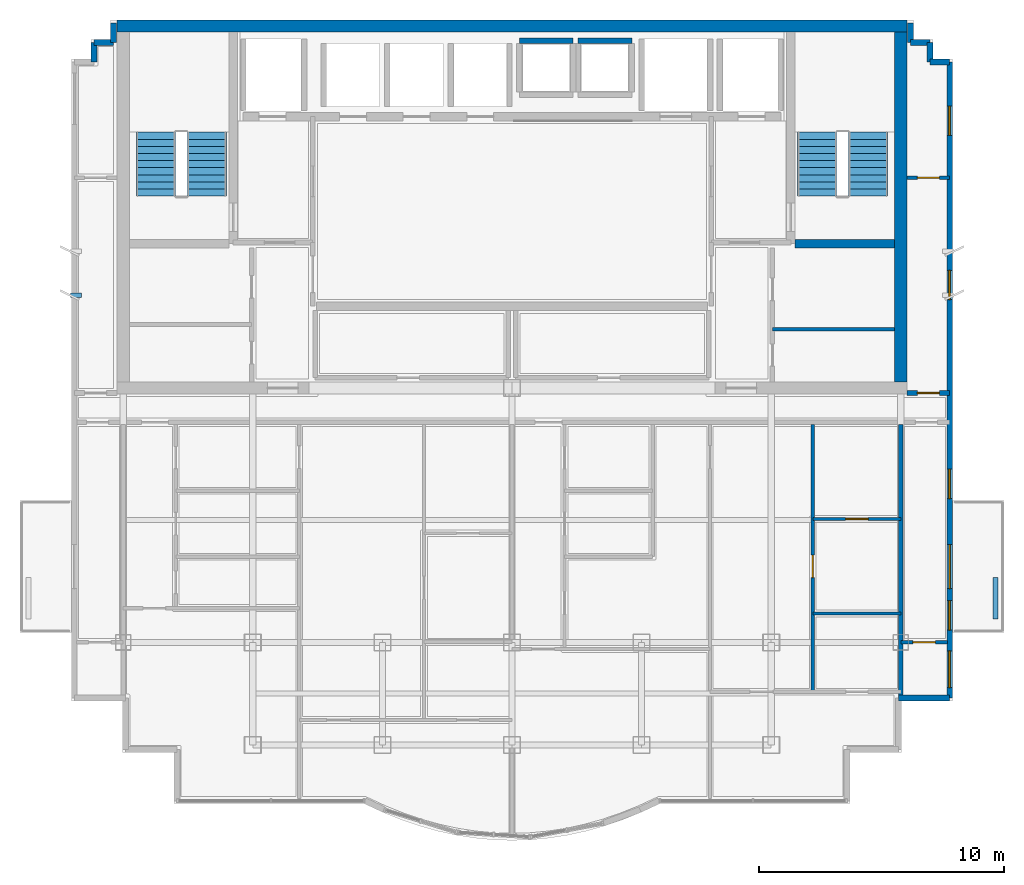
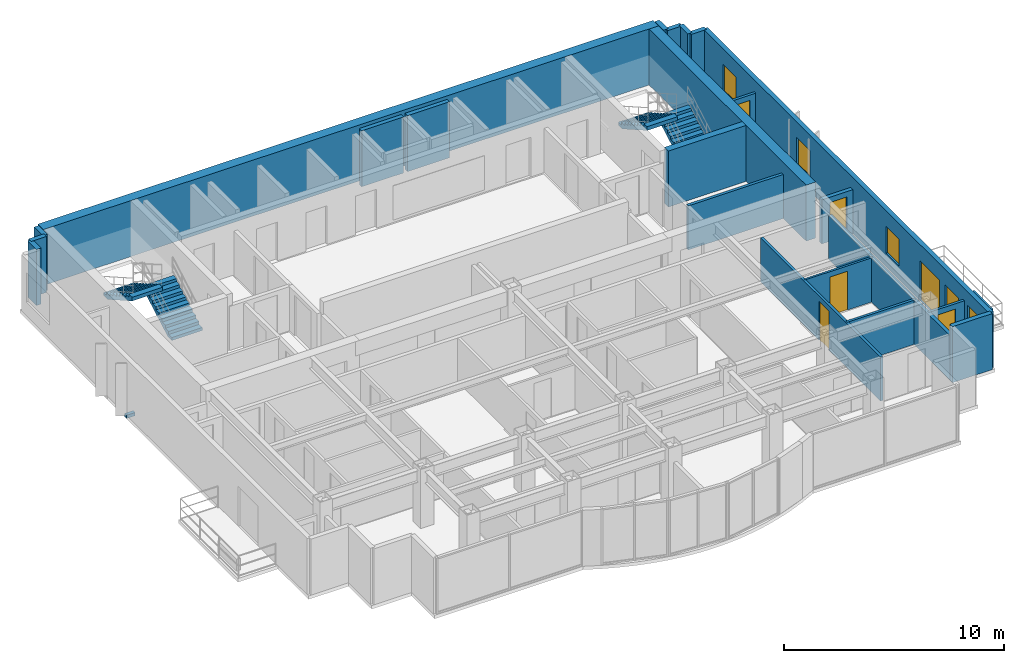
# One storey, part 6 of 9: 23 walls, 6 doors, 5 windows, 4 stair flights, 1 discrete accessory, 11 openings, 2 elements without a shape of their own.
"""IFC4 building model written with IfcOpenShell, lengths in metres."""

from ifc_helpers import new_model, si_unit, direction, frame, frame_2d, origin, origin_2d, place, context, subcontext, project, spatial, polyline, rectangle, outline, extrude, source, transform, mapped, material, layer, layer_set, type_object, element, fill, aggregate, save


model = new_model("IFC4")

# Units and contexts
model_context = context("Model", 3, precision=1e-05, world=origin(), true_north=direction((0.0, 1.0)))
body_context = subcontext(model_context, "Body", "Model", "MODEL_VIEW")
ifc_project = project(units=[si_unit("LENGTHUNIT", "METRE"), si_unit("AREAUNIT", "SQUARE_METRE"), si_unit("VOLUMEUNIT", "CUBIC_METRE"), si_unit("PLANEANGLEUNIT", "RADIAN"), si_unit("MASSUNIT", "GRAM", prefix="KILO")], contexts=[model_context])

# Site, building, storey
site_placement = place(None, origin())
site = spatial("IfcSite", under=ifc_project, at=site_placement, CompositionType="ELEMENT")
building_placement = place(site_placement, origin())
building = spatial("IfcBuilding", under=site, at=building_placement, Name="Qianlan Lanfeng Residences", CompositionType="ELEMENT")
storey_placement = place(building_placement, frame((0.0, 0.0, 249.5)))
storey = spatial("IfcBuildingStorey", under=building, at=storey_placement, Name="L69", CompositionType="ELEMENT", Elevation=249.5)

# Walls
ifc_material_1 = material(Name="Concrete C49", Category="concrete")
ifc_layer_1 = layer(ifc_material_1, 0.35009765625)
ifc_layer_set_1 = layer_set([ifc_layer_1], Name="Concrete C49")
wall_type_1 = type_object("IfcWallType", Name="CW-RC-350", PredefinedType="SHEAR", material=ifc_layer_set_1)
wall_1_placement = place(storey_placement, frame((38.074951171875, 31.10009765625, 0.0), z_axis=(0.0, 0.0, 1.0), x_axis=(1.0, 0.0, 0.0)))
element("IfcWall", 1, at=wall_1_placement, inside=storey, type_object=wall_type_1, Name="L69 Core Shear Wall ST2S", PredefinedType="SHEAR", context=body_context, shape_type="SweptSolid", body=[
    extrude(rectangle(XDim=4.074951171875, YDim=0.35009765625, at=frame_2d((2.03759765625, 0.0))), origin(), (0.0, 0.0, 1.0), 3.110107421875),
])
ifc_material_2 = material(Name="Concrete C70", Category="concrete")
ifc_layer_2 = layer(ifc_material_2, 0.5)
ifc_layer_set_2 = layer_set([ifc_layer_2], Name="Concrete C70")
wall_type_2 = type_object("IfcWallType", Name="CW-RC-500", PredefinedType="SHEAR", material=ifc_layer_set_2)
wall_2_placement = place(storey_placement, frame((10.35009765625, 40.0, 0.0), z_axis=(0.0, 0.0, 1.0), x_axis=(1.0, 0.0, 0.0)))
element("IfcWall", 2, at=wall_2_placement, inside=storey, type_object=wall_type_2, Name="L69 Core Shear Wall N", PredefinedType="SHEAR", context=body_context, shape_type="SweptSolid", body=[
    extrude(rectangle(XDim=32.2998046875, YDim=0.5, at=frame_2d((16.14990234375, 0.0))), origin(), (0.0, 0.0, 1.0), 3.110107421875),
])
wall_3_placement = place(storey_placement, frame((42.39990234375, 25.449951171875, 0.0), z_axis=(0.0, 0.0, 1.0), x_axis=(0.0, 1.0, 0.0)))
element("IfcWall", 3, at=wall_3_placement, inside=storey, type_object=wall_type_2, Name="L69 Core Shear Wall E", PredefinedType="SHEAR", context=body_context, shape_type="SweptSolid", body=[
    extrude(rectangle(XDim=14.300048828125, YDim=0.5, at=frame_2d((7.14990234375, 0.0))), origin(), (0.0, 0.0, 1.0), 3.110107421875),
])
ifc_material_3 = material(Name="Concrete C42", Category="concrete")
ifc_layer_3 = layer(ifc_material_3, 0.239990234375)
ifc_layer_set_3 = layer_set([ifc_layer_3], Name="Concrete C42")
wall_type_3 = type_object("IfcWallType", Name="EW-240", PredefinedType="SOLIDWALL", material=ifc_layer_set_3)
wall_4_placement = place(storey_placement, frame((42.300048828125, 12.52001953125, 0.0), z_axis=(0.0, 0.0, 1.0), x_axis=(1.0, 0.0, 0.0)))
element("IfcWall", 4, at=wall_4_placement, inside=storey, type_object=wall_type_3, Name="L69 Exterior Facade Spandrel Wall 11", PredefinedType="SOLIDWALL", context=body_context, shape_type="SweptSolid", body=[
    extrude(rectangle(XDim=2.099853515625, YDim=0.239990234375, at=frame_2d((1.0498046875, 0.0))), origin(), (0.0, 0.0, 1.0), 3.110107421875),
])

# Wall, openings, door, windows
wall_5_placement = place(storey_placement, frame((44.39990234375, 12.52001953125, 0.0), z_axis=(0.0, 0.0, 1.0), x_axis=(0.0, 1.0, 0.0)))
wall_5 = element("IfcWall", 5, at=wall_5_placement, inside=storey, type_object=wall_type_3, Name="L69 Terrace/Balcony Access Exterior Wall 12", PredefinedType="SOLIDWALL", context=body_context, shape_type="SweptSolid", body=[
    extrude(rectangle(XDim=26.010009765625, YDim=0.239990234375, at=frame_2d((13.0048828125, 0.0))), origin(), (0.0, 0.0, 1.0), 3.110107421875),
])
opening_1_placement = place(wall_5_placement, frame((4.47998046875, 0.0, 0.0)))
opening_1 = element("IfcOpeningElement", 6, at=opening_1_placement, cuts=wall_5, Name="Opening L69-D-EB-N", PredefinedType="OPENING", context=body_context, shape_type="SweptSolid", body=[
    extrude(rectangle(XDim=1.800048828125, YDim=2.199951171875, at=frame_2d((0.89990234375, 1.10009765625))), frame((0.0, 0.1298828125, 0.0), z_axis=(0.0, -1.0, 0.0), x_axis=(1.0, 0.0, 0.0)), (0.0, 0.0, 1.0), 0.260009765625),
])
opening_2_placement = place(wall_5_placement, frame((0.426025390625, 0.0, 0.75)))
opening_2 = element("IfcOpeningElement", 7, at=opening_2_placement, cuts=wall_5, Name="Opening W-02", PredefinedType="OPENING", context=body_context, shape_type="SweptSolid", body=[
    extrude(rectangle(XDim=1.5, YDim=1.60009765625, at=frame_2d((0.75, 0.800048828125))), frame((0.0, 0.1298828125, 0.0), z_axis=(0.0, -1.0, 0.0), x_axis=(1.0, 0.0, 0.0)), (0.0, 0.0, 1.0), 0.260009765625),
])
opening_3_placement = place(wall_5_placement, frame((2.783935546875, 0.0, 0.75)))
opening_3 = element("IfcOpeningElement", 8, at=opening_3_placement, cuts=wall_5, Name="Opening W-03", PredefinedType="OPENING", context=body_context, shape_type="SweptSolid", body=[
    extrude(rectangle(XDim=1.199951171875, YDim=1.5, at=frame_2d((0.60009765625, 0.75))), frame((0.0, 0.1298828125, 0.0), z_axis=(0.0, -1.0, 0.0), x_axis=(1.0, 0.0, 0.0)), (0.0, 0.0, 1.0), 0.260009765625),
])
opening_4_placement = place(wall_5_placement, frame((8.159912109375, 0.0, 0.75)))
opening_4 = element("IfcOpeningElement", 9, at=opening_4_placement, cuts=wall_5, Name="Opening W-03", PredefinedType="OPENING", context=body_context, shape_type="SweptSolid", body=[
    extrude(rectangle(XDim=1.199951171875, YDim=1.5, at=frame_2d((0.60009765625, 0.75))), frame((0.0, 0.1298828125, 0.0), z_axis=(0.0, -1.0, 0.0), x_axis=(1.0, 0.0, 0.0)), (0.0, 0.0, 1.0), 0.260009765625),
])
opening_5_placement = place(wall_5_placement, frame((16.2958984375, 0.0, 0.75)))
opening_5 = element("IfcOpeningElement", 10, at=opening_5_placement, cuts=wall_5, Name="Opening W-03", PredefinedType="OPENING", context=body_context, shape_type="SweptSolid", body=[
    extrude(rectangle(XDim=1.199951171875, YDim=1.5, at=frame_2d((0.60009765625, 0.75))), frame((0.0, 0.1298828125, 0.0), z_axis=(0.0, -1.0, 0.0), x_axis=(1.0, 0.0, 0.0)), (0.0, 0.0, 1.0), 0.260009765625),
])
opening_6_placement = place(wall_5_placement, frame((23.009033203125, 0.0, 0.75)))
opening_6 = element("IfcOpeningElement", 11, at=opening_6_placement, cuts=wall_5, Name="Opening W-03", PredefinedType="OPENING", context=body_context, shape_type="SweptSolid", body=[
    extrude(rectangle(XDim=1.199951171875, YDim=1.5, at=frame_2d((0.60009765625, 0.75))), frame((0.0, 0.1298828125, 0.0), z_axis=(0.0, -1.0, 0.0), x_axis=(1.0, 0.0, 0.0)), (0.0, 0.0, 1.0), 0.260009765625),
])
ifc_material_4 = material(Name="Anodised Bronze Aluminium Framed Glass", Category="aluminium")
door_type_1 = type_object("IfcDoorType", Name="DT-BAL1", OperationType="NOTDEFINED", PredefinedType="DOOR", material=ifc_material_4)
door_1_placement = place(opening_1_placement, frame((1.800048828125, 0.0, 0.0), z_axis=(0.0, 0.0, 1.0), x_axis=(-1.0, 0.0, 0.0)))
door_1 = element("IfcDoor", 12, at=door_1_placement, inside=storey, type_object=door_type_1, Name="L69 Exterior Access Door EB-N", OperationType="DOUBLE_DOOR_SLIDING", OverallHeight=2.199951171875, OverallWidth=1.800048828125, PredefinedType="DOOR", context=body_context, shape_type="SweptSolid", body=[
    extrude(rectangle(XDim=1.800048828125, YDim=2.199951171875, at=frame_2d((0.89990234375, 1.10009765625))), frame((0.0, 0.02490234375, 0.0), z_axis=(0.0, -1.0, 0.0), x_axis=(1.0, 0.0, 0.0)), (0.0, 0.0, 1.0), 0.050048828125),
])
fill(opening_1, door_1)
ifc_material_5 = material(Name="Anodised Bronze Aluminium Framed Double Glazing", Category="aluminium")
window_type_1 = type_object("IfcWindowType", Name="W-02", PartitioningType="SINGLE_PANEL", PredefinedType="WINDOW", material=ifc_material_5)
window_1_placement = place(opening_2_placement, origin())
window_1 = element("IfcWindow", 13, at=window_1_placement, inside=storey, type_object=window_type_1, Name="L69 Exterior Window W-06", OverallHeight=1.60009765625, OverallWidth=1.5, PartitioningType="SINGLE_PANEL", PredefinedType="WINDOW", context=body_context, shape_type="SweptSolid", body=[
    extrude(rectangle(XDim=1.5, YDim=1.60009765625, at=frame_2d((0.75, 0.800048828125))), frame((0.0, 0.030029296875, 0.0), z_axis=(0.0, -1.0, 0.0), x_axis=(1.0, 0.0, 0.0)), (0.0, 0.0, 1.0), 0.06005859375),
])
fill(opening_2, window_1)
window_type_2 = type_object("IfcWindowType", Name="W-03", PartitioningType="SINGLE_PANEL", PredefinedType="WINDOW", material=ifc_material_5)
window_2_placement = place(opening_3_placement, origin())
window_2 = element("IfcWindow", 14, at=window_2_placement, inside=storey, type_object=window_type_2, Name="L69 Facade Bay Window W-03", OverallHeight=1.5, OverallWidth=1.199951171875, PartitioningType="SINGLE_PANEL", PredefinedType="WINDOW", context=body_context, shape_type="SweptSolid", body=[
    extrude(rectangle(XDim=1.199951171875, YDim=1.5, at=frame_2d((0.60009765625, 0.75))), frame((0.0, 0.030029296875, 0.0), z_axis=(0.0, -1.0, 0.0), x_axis=(1.0, 0.0, 0.0)), (0.0, 0.0, 1.0), 0.06005859375),
])
fill(opening_3, window_2)
window_3_placement = place(opening_4_placement, origin())
window_3 = element("IfcWindow", 15, at=window_3_placement, inside=storey, type_object=window_type_2, Name="L69 Facade Bay Window W-03", OverallHeight=1.5, OverallWidth=1.199951171875, PartitioningType="SINGLE_PANEL", PredefinedType="WINDOW", context=body_context, shape_type="SweptSolid", body=[
    extrude(rectangle(XDim=1.199951171875, YDim=1.5, at=frame_2d((0.60009765625, 0.75))), frame((0.0, 0.030029296875, 0.0), z_axis=(0.0, -1.0, 0.0), x_axis=(1.0, 0.0, 0.0)), (0.0, 0.0, 1.0), 0.06005859375),
])
fill(opening_4, window_3)
window_4_placement = place(opening_5_placement, origin())
window_4 = element("IfcWindow", 16, at=window_4_placement, inside=storey, type_object=window_type_2, Name="L69 Facade Bay Window W-03", OverallHeight=1.5, OverallWidth=1.199951171875, PartitioningType="SINGLE_PANEL", PredefinedType="WINDOW", context=body_context, shape_type="SweptSolid", body=[
    extrude(rectangle(XDim=1.199951171875, YDim=1.5, at=frame_2d((0.60009765625, 0.75))), frame((0.0, 0.030029296875, 0.0), z_axis=(0.0, -1.0, 0.0), x_axis=(1.0, 0.0, 0.0)), (0.0, 0.0, 1.0), 0.06005859375),
])
fill(opening_5, window_4)
window_5_placement = place(opening_6_placement, origin())
window_5 = element("IfcWindow", 17, at=window_5_placement, inside=storey, type_object=window_type_2, Name="L69 Facade Bay Window W-03", OverallHeight=1.5, OverallWidth=1.199951171875, PartitioningType="SINGLE_PANEL", PredefinedType="WINDOW", context=body_context, shape_type="SweptSolid", body=[
    extrude(rectangle(XDim=1.199951171875, YDim=1.5, at=frame_2d((0.60009765625, 0.75))), frame((0.0, 0.030029296875, 0.0), z_axis=(0.0, -1.0, 0.0), x_axis=(1.0, 0.0, 0.0)), (0.0, 0.0, 1.0), 0.06005859375),
])
fill(opening_6, window_5)

# Walls
wall_6_placement = place(storey_placement, frame((44.39990234375, 38.530029296875, 0.0), z_axis=(0.0, 0.0, 1.0), x_axis=(-1.0, 0.0, 0.0)))
element("IfcWall", 18, at=wall_6_placement, inside=storey, type_object=wall_type_3, Name="L69 Exterior Facade Spandrel Wall 13", PredefinedType="SOLIDWALL", context=body_context, shape_type="SweptSolid", body=[
    extrude(rectangle(XDim=0.7998046875, YDim=0.239990234375, at=frame_2d((0.39990234375, 0.0))), origin(), (0.0, 0.0, 1.0), 3.110107421875),
])
for number, where, z_axis, x_axis, name in (
    (19, (43.60009765625, 38.530029296875, 0.0), (0.0, 0.0, 1.0), (0.0, 1.0, 0.0), "L69 Exterior Facade Spandrel Wall 14"),
    (20, (43.60009765625, 39.330078125, 0.0), (0.0, 0.0, 1.0), (-1.0, 0.0, 0.0), "L69 Exterior Facade Spandrel Wall 15"),
):
    element("IfcWall", number, at=place(storey_placement, frame(where, z_axis=z_axis, x_axis=x_axis)), inside=storey, type_object=wall_type_3, Name=name, PredefinedType="SOLIDWALL", context=body_context, shape_type="SweptSolid", body=[
        extrude(rectangle(XDim=0.800048828125, YDim=0.239990234375, at=frame_2d((0.39990234375, 0.0))), origin(), (0.0, 0.0, 1.0), 3.110107421875),
    ])
for number, where, z_axis, x_axis, name in (
    (21, (42.800048828125, 39.330078125, 0.0), (0.0, 0.0, 1.0), (0.0, 1.0, 0.0), "L69 Exterior Facade Spandrel Wall 16"),
    (22, (10.199951171875, 40.1298828125, 0.0), (0.0, 0.0, 1.0), (0.0, -1.0, 0.0), "L69 Exterior Facade Spandrel Wall 17"),
):
    element("IfcWall", number, at=place(storey_placement, frame(where, z_axis=z_axis, x_axis=x_axis)), inside=storey, type_object=wall_type_3, Name=name, PredefinedType="SOLIDWALL", context=body_context, shape_type="SweptSolid", body=[
        extrude(rectangle(XDim=0.7998046875, YDim=0.239990234375, at=frame_2d((0.39990234375, 0.0))), origin(), (0.0, 0.0, 1.0), 3.110107421875),
    ])
for number, where, z_axis, x_axis, name in (
    (23, (10.199951171875, 39.330078125, 0.0), (0.0, 0.0, 1.0), (-1.0, 0.0, 0.0), "L69 Exterior Facade Spandrel Wall 18"),
    (24, (9.39990234375, 39.330078125, 0.0), (0.0, 0.0, 1.0), (0.0, -1.0, 0.0), "L69 Exterior Facade Spandrel Wall 19"),
):
    element("IfcWall", number, at=place(storey_placement, frame(where, z_axis=z_axis, x_axis=x_axis)), inside=storey, type_object=wall_type_3, Name=name, PredefinedType="SOLIDWALL", context=body_context, shape_type="SweptSolid", body=[
        extrude(rectangle(XDim=0.800048828125, YDim=0.239990234375, at=frame_2d((0.39990234375, 0.0))), origin(), (0.0, 0.0, 1.0), 3.110107421875),
    ])
ifc_layer_4 = layer(ifc_material_3, 0.199951171875)
ifc_layer_set_4 = layer_set([ifc_layer_4], Name="Concrete C42")
wall_type_4 = type_object("IfcWallType", Name="PL-TREE-200", PredefinedType="PARAPET", material=ifc_layer_set_4)
wall_7_placement = place(storey_placement, frame((46.27001953125, 15.75, 0.0), z_axis=(0.0, 0.0, 1.0), x_axis=(0.0, 1.0, 0.0)))
element("IfcWall", 25, at=wall_7_placement, inside=storey, type_object=wall_type_4, Name="L69 East Tree Planter Curb EB-N", PredefinedType="PARAPET", context=body_context, shape_type="SweptSolid", body=[
    extrude(rectangle(XDim=1.699951171875, YDim=0.199951171875, at=frame_2d((0.85009765625, 0.0))), origin(), (0.0, 0.0, 1.0), 0.64990234375),
])

# Wall, opening, door
ifc_material_6 = material(Name="Demountable Acoustic Framing Partition 110 mm")
ifc_layer_5 = layer(ifc_material_6, 0.110107421875)
ifc_layer_set_5 = layer_set([ifc_layer_5], Name="Demountable Acoustic Framing Partition 110 mm")
wall_type_5 = type_object("IfcWallType", Name="PW-110", PredefinedType="MOVABLE", material=ifc_layer_set_5)
wall_8_placement = place(storey_placement, frame((38.800048828125, 19.840087890625, 0.0), z_axis=(0.0, 0.0, 1.0), x_axis=(1.0, 0.0, 0.0)))
wall_8 = element("IfcWall", 26, at=wall_8_placement, inside=storey, type_object=wall_type_5, Name="L69 U02 Wardrobe Split", PredefinedType="MOVABLE", context=body_context, shape_type="SweptSolid", body=[
    extrude(rectangle(XDim=3.599853515625, YDim=0.110107421875, at=frame_2d((1.7998046875, 0.0))), origin(), (0.0, 0.0, 1.0), 2.449951171875),
])
opening_7_placement = place(wall_8_placement, frame((1.340087890625, 0.0, 0.0)))
opening_7 = element("IfcOpeningElement", 27, at=opening_7_placement, cuts=wall_8, Name="Opening L69-D36", PredefinedType="OPENING", context=body_context, shape_type="SweptSolid", body=[
    extrude(rectangle(XDim=0.919921875, YDim=2.14990234375, at=frame_2d((0.4599609375, 1.074951171875))), frame((0.0, 0.06494140625, 0.0), z_axis=(0.0, -1.0, 0.0), x_axis=(1.0, 0.0, 0.0)), (0.0, 0.0, 1.0), 0.130126953125),
])
ifc_material_7 = material(Name="Glazed Timber Kitchen/Study Door", Category="wood")
door_type_2 = type_object("IfcDoorType", Name="DT-INT", OperationType="NOTDEFINED", PredefinedType="DOOR", material=ifc_material_7)
door_2_placement = place(opening_7_placement, origin())
door_2 = element("IfcDoor", 28, at=door_2_placement, inside=storey, type_object=door_type_2, Name="L69 U02 Dressing Inner Door L69-D36 (DT-INT)", OperationType="SINGLE_SWING_RIGHT", OverallHeight=2.14990234375, OverallWidth=0.919921875, PredefinedType="DOOR", context=body_context, shape_type="SweptSolid", body=[
    extrude(rectangle(XDim=0.919921875, YDim=2.14990234375, at=frame_2d((0.4599609375, 1.074951171875))), frame((0.0, 0.02490234375, 0.0), z_axis=(0.0, -1.0, 0.0), x_axis=(1.0, 0.0, 0.0)), (0.0, 0.0, 1.0), 0.050048828125),
])
fill(opening_7, door_2)

ifc_material_8 = material(Name="Moisture-Resistant Gypsum Partition 135 mm")
ifc_layer_6 = layer(ifc_material_8, 0.135009765625)
ifc_layer_set_6 = layer_set([ifc_layer_6], Name="Moisture-Resistant Gypsum Partition 135 mm")
wall_type_6 = type_object("IfcWallType", Name="PW-135", PredefinedType="PARTITIONING", material=ifc_layer_set_6)
wall_9_placement = place(storey_placement, frame((38.800048828125, 12.779052734375, 0.0), z_axis=(0.0, 0.0, 1.0), x_axis=(0.0, 1.0, 0.0)))
wall_9 = element("IfcWall", 29, at=wall_9_placement, inside=storey, type_object=wall_type_6, Name="L69 U02 Master Passage Wall", PredefinedType="PARTITIONING", context=body_context, shape_type="SweptSolid", body=[
    extrude(rectangle(XDim=10.9208984375, YDim=0.135009765625, at=frame_2d((5.46044921875, 0.0))), origin(), (0.0, 0.0, 1.0), 2.449951171875),
])
opening_8_placement = place(wall_9_placement, frame((4.6708984375, 0.0, 0.0)))
opening_8 = element("IfcOpeningElement", 30, at=opening_8_placement, cuts=wall_9, Name="Opening L69-D35", PredefinedType="OPENING", context=body_context, shape_type="SweptSolid", body=[
    extrude(rectangle(XDim=0.919921875, YDim=2.14990234375, at=frame_2d((0.4599609375, 1.074951171875))), frame((0.0, 0.07763671875, 0.0), z_axis=(0.0, -1.0, 0.0), x_axis=(1.0, 0.0, 0.0)), (0.0, 0.0, 1.0), 0.155029296875),
])
door_3_placement = place(opening_8_placement, origin())
door_3 = element("IfcDoor", 31, at=door_3_placement, inside=storey, type_object=door_type_2, Name="L69 U02 Wardrobe Door L69-D35 (DT-INT)", OperationType="SINGLE_SWING_LEFT", OverallHeight=2.14990234375, OverallWidth=0.919921875, PredefinedType="DOOR", context=body_context, shape_type="SweptSolid", body=[
    extrude(rectangle(XDim=0.919921875, YDim=2.14990234375, at=frame_2d((0.4599609375, 1.074951171875))), frame((0.0, 0.02490234375, 0.0), z_axis=(0.0, -1.0, 0.0), x_axis=(1.0, 0.0, 0.0)), (0.0, 0.0, 1.0), 0.050048828125),
])
fill(opening_8, door_3)

# Wall
wall_10_placement = place(storey_placement, frame((38.800048828125, 15.97900390625, 0.0), z_axis=(0.0, 0.0, 1.0), x_axis=(1.0, 0.0, 0.0)))
element("IfcWall", 32, at=wall_10_placement, inside=storey, type_object=wall_type_6, Name="L69 U02 En-Suite North Wall", PredefinedType="PARTITIONING", context=body_context, shape_type="SweptSolid", body=[
    extrude(rectangle(XDim=3.599853515625, YDim=0.135009765625, at=frame_2d((1.7998046875, 0.0))), origin(), (0.0, 0.0, 1.0), 2.449951171875),
])

# Wall, opening, door
wall_11_placement = place(storey_placement, frame((42.39990234375, 14.800048828125, 0.0), z_axis=(0.0, 0.0, 1.0), x_axis=(1.0, 0.0, 0.0)))
wall_11 = element("IfcWall", 33, at=wall_11_placement, inside=storey, type_object=wall_type_6, Name="L69 SEP Mid Partition", PredefinedType="PARTITIONING", context=body_context, shape_type="SweptSolid", body=[
    extrude(rectangle(XDim=1.900146484375, YDim=0.135009765625, at=frame_2d((0.9501953125, 0.0))), origin(), (0.0, 0.0, 1.0), 2.449951171875),
])
opening_9_placement = place(wall_11_placement, frame((0.489990234375, 0.0, 0.0)))
opening_9 = element("IfcOpeningElement", 34, at=opening_9_placement, cuts=wall_11, Name="Opening L69-D39", PredefinedType="OPENING", context=body_context, shape_type="SweptSolid", body=[
    extrude(rectangle(XDim=0.919921875, YDim=2.14990234375, at=frame_2d((0.4599609375, 1.074951171875))), frame((0.0, 0.07763671875, 0.0), z_axis=(0.0, -1.0, 0.0), x_axis=(1.0, 0.0, 0.0)), (0.0, 0.0, 1.0), 0.155029296875),
])
door_4_placement = place(opening_9_placement, origin())
door_4 = element("IfcDoor", 35, at=door_4_placement, inside=storey, type_object=door_type_2, Name="L69 SEP Inner Door L69-D39 (DT-INT)", OperationType="SINGLE_SWING_RIGHT", OverallHeight=2.14990234375, OverallWidth=0.919921875, PredefinedType="DOOR", context=body_context, shape_type="SweptSolid", body=[
    extrude(rectangle(XDim=0.919921875, YDim=2.14990234375, at=frame_2d((0.4599609375, 1.074951171875))), frame((0.0, 0.02490234375, 0.0), z_axis=(0.0, -1.0, 0.0), x_axis=(1.0, 0.0, 0.0)), (0.0, 0.0, 1.0), 0.050048828125),
])
fill(opening_9, door_4)

wall_12_placement = place(storey_placement, frame((42.64990234375, 33.800048828125, 0.0), z_axis=(0.0, 0.0, 1.0), x_axis=(1.0, 0.0, 0.0)))
wall_12 = element("IfcWall", 36, at=wall_12_placement, inside=storey, type_object=wall_type_6, Name="L69 EW North Wing Wall", PredefinedType="PARTITIONING", context=body_context, shape_type="SweptSolid", body=[
    extrude(rectangle(XDim=1.75, YDim=0.135009765625, at=frame_2d((0.875, 0.0))), origin(), (0.0, 0.0, 1.0), 2.449951171875),
])
opening_10_placement = place(wall_12_placement, frame((0.425048828125, 0.0, 0.0)))
opening_10 = element("IfcOpeningElement", 37, at=opening_10_placement, cuts=wall_12, Name="Opening L69-D43", PredefinedType="OPENING", context=body_context, shape_type="SweptSolid", body=[
    extrude(rectangle(XDim=0.89990234375, YDim=2.14990234375, at=frame_2d((0.449951171875, 1.074951171875))), frame((0.0, 0.07763671875, 0.0), z_axis=(0.0, -1.0, 0.0), x_axis=(1.0, 0.0, 0.0)), (0.0, 0.0, 1.0), 0.155029296875),
])
ifc_material_9 = material(Name="Moisture-Resistant Timber Leaf", Category="wood")
door_type_3 = type_object("IfcDoorType", Name="DT-WC", OperationType="NOTDEFINED", PredefinedType="DOOR", material=ifc_material_9)
door_5_placement = place(opening_10_placement, origin())
door_5 = element("IfcDoor", 38, at=door_5_placement, inside=storey, type_object=door_type_3, Name="L69 EW Inner Salon Door L69-D43 (DT-WC)", OperationType="SINGLE_SWING_RIGHT", OverallHeight=2.14990234375, OverallWidth=0.89990234375, PredefinedType="DOOR", context=body_context, shape_type="SweptSolid", body=[
    extrude(rectangle(XDim=0.89990234375, YDim=2.14990234375, at=frame_2d((0.449951171875, 1.074951171875))), frame((0.0, 0.02490234375, 0.0), z_axis=(0.0, -1.0, 0.0), x_axis=(1.0, 0.0, 0.0)), (0.0, 0.0, 1.0), 0.050048828125),
])
fill(opening_10, door_5)

# Walls
ifc_material_10 = material(Name="Acoustic Drywall Partition 150 mm")
ifc_layer_7 = layer(ifc_material_10, 0.14990234375)
ifc_layer_set_7 = layer_set([ifc_layer_7], Name="Acoustic Drywall Partition 150 mm")
wall_type_7 = type_object("IfcWallType", Name="PW-150", PredefinedType="PARTITIONING", material=ifc_layer_set_7)
wall_13_placement = place(storey_placement, frame((37.14990234375, 27.60009765625, 0.0), z_axis=(0.0, 0.0, 1.0), x_axis=(1.0, 0.0, 0.0)))
element("IfcWall", 39, at=wall_13_placement, inside=storey, type_object=wall_type_7, Name="L69 Core East Split", PredefinedType="PARTITIONING", context=body_context, shape_type="SweptSolid", body=[
    extrude(rectangle(XDim=5.0, YDim=0.14990234375, at=frame_2d((2.5, 0.0))), origin(), (0.0, 0.0, 1.0), 2.449951171875),
])
ifc_material_11 = material(Name="Double-Layer Acoustic Gypsum Stud Wall 180 mm")
ifc_layer_8 = layer(ifc_material_11, 0.179931640625)
ifc_layer_set_8 = layer_set([ifc_layer_8], Name="Double-Layer Acoustic Gypsum Stud Wall 180 mm")
wall_type_8 = type_object("IfcWallType", Name="PW-180", PredefinedType="PARTITIONING", material=ifc_layer_set_8)
wall_14_placement = place(storey_placement, frame((42.39990234375, 12.6201171875, 0.0), z_axis=(0.0, 0.0, 1.0), x_axis=(0.0, 1.0, 0.0)))
element("IfcWall", 40, at=wall_14_placement, inside=storey, type_object=wall_type_8, Name="L69 Wing Boundary Party Wall E0", PredefinedType="PARTITIONING", context=body_context, shape_type="SweptSolid", body=[
    extrude(rectangle(XDim=11.079833984375, YDim=0.179931640625, at=frame_2d((5.5400390625, 0.0))), origin(), (0.0, 0.0, 1.0), 2.449951171875),
])

# Wall, opening, door
ifc_material_12 = material(Name="Autoclaved Aerated Concrete Blockwork 200 mm", Category="masonry")
ifc_layer_9 = layer(ifc_material_12, 0.199951171875)
ifc_layer_set_9 = layer_set([ifc_layer_9], Name="Autoclaved Aerated Concrete Blockwork 200 mm")
wall_type_9 = type_object("IfcWallType", Name="PW-200", PredefinedType="PARTITIONING", material=ifc_layer_set_9)
wall_15_placement = place(storey_placement, frame((42.64990234375, 25.0, 0.0), z_axis=(0.0, 0.0, 1.0), x_axis=(1.0, 0.0, 0.0)))
wall_15 = element("IfcWall", 41, at=wall_15_placement, inside=storey, type_object=wall_type_9, Name="L69 Corridor NE Wall", PredefinedType="PARTITIONING", context=body_context, shape_type="SweptSolid", body=[
    extrude(rectangle(XDim=1.75, YDim=0.199951171875, at=frame_2d((0.875, 0.0))), origin(), (0.0, 0.0, 1.0), 2.449951171875),
])
opening_11_placement = place(wall_15_placement, frame((0.425048828125, 0.0, 0.0)))
opening_11 = element("IfcOpeningElement", 42, at=opening_11_placement, cuts=wall_15, Name="Opening L69-D44", PredefinedType="OPENING", context=body_context, shape_type="SweptSolid", body=[
    extrude(rectangle(XDim=0.89990234375, YDim=2.14990234375, at=frame_2d((0.449951171875, 1.074951171875))), frame((0.0, 0.10986328125, 0.0), z_axis=(0.0, -1.0, 0.0), x_axis=(1.0, 0.0, 0.0)), (0.0, 0.0, 1.0), 0.219970703125),
])
door_6_placement = place(opening_11_placement, frame((0.89990234375, 0.0, 0.0), z_axis=(0.0, 0.0, 1.0), x_axis=(-1.0, 0.0, 0.0)))
door_6 = element("IfcDoor", 43, at=door_6_placement, inside=storey, type_object=door_type_3, Name="L69 EW Amenity Salon Door L69-D44 (DT-WC)", OperationType="SINGLE_SWING_LEFT", OverallHeight=2.14990234375, OverallWidth=0.89990234375, PredefinedType="DOOR", context=body_context, shape_type="SweptSolid", body=[
    extrude(rectangle(XDim=0.89990234375, YDim=2.14990234375, at=frame_2d((0.449951171875, 1.074951171875))), frame((0.0, 0.02490234375, 0.0), z_axis=(0.0, -1.0, 0.0), x_axis=(1.0, 0.0, 0.0)), (0.0, 0.0, 1.0), 0.050048828125),
])
fill(opening_11, door_6)

# Walls
ifc_layer_10 = layer(ifc_material_1, 0.219970703125)
ifc_layer_set_10 = layer_set([ifc_layer_10], Name="Concrete C49")
wall_type_10 = type_object("IfcWallType", Name="SHW-220", PredefinedType="SOLIDWALL", material=ifc_layer_set_10)
for number, where, z_axis, x_axis, name in (
    (44, (26.800048828125, 39.39990234375, 0.0), (0.0, 0.0, 1.0), (1.0, 0.0, 0.0), "L69 MEP Riser MEP-R1 Shaft Wall N"),
    (45, (29.199951171875, 39.39990234375, 0.0), (0.0, 0.0, 1.0), (1.0, 0.0, 0.0), "L69 MEP Riser MEP-R2 Shaft Wall N"),
):
    element("IfcWall", number, at=place(storey_placement, frame(where, z_axis=z_axis, x_axis=x_axis)), inside=storey, type_object=wall_type_10, Name=name, PredefinedType="SOLIDWALL", context=body_context, shape_type="SweptSolid", body=[
        extrude(rectangle(XDim=2.199951171875, YDim=0.219970703125, at=frame_2d((1.10009765625, 0.0))), origin(), (0.0, 0.0, 1.0), 3.110107421875),
    ])

# Stair, stair flights
stair_type = type_object("IfcStairType", Name="STR-MAIN", PredefinedType="HALF_TURN_STAIR", material=ifc_material_3)
stair_1_placement = place(storey_placement, origin())
stair_1 = element("IfcStair", 46, at=stair_1_placement, inside=storey, type_object=stair_type, Name="L69 Exit Stair ST-1", PredefinedType="HALF_TURN_STAIR")
stair_flight_type = type_object("IfcStairFlightType", Name="FLT-1720", PredefinedType="STRAIGHT", material=ifc_material_3)
stair_flight_1_placement = place(storey_placement, frame((14.02001953125, 33.050048828125, 0.0), z_axis=(0.0, 0.0, 1.0), x_axis=(0.0, 1.0, 0.0)))
stair_flight_1 = element("IfcStairFlight", 47, at=stair_flight_1_placement, type_object=stair_flight_type, Name="ST-1 flight 1", NumberOfRisers=10, NumberOfTreads=9, PredefinedType="STRAIGHT", RiserHeight=0.165, TreadLength=0.29, context=body_context, shape_type="SweptSolid", body=[
    extrude(outline(polyline([(0.0, 0.0), (0.0, 0.1650390625), (0.2900390625, 0.1650390625), (0.2900390625, 0.330078125), (0.580078125, 0.330078125), (0.580078125, 0.4951171875), (0.8701171875, 0.4951171875), (0.8701171875, 0.659912109375), (1.159912109375, 0.659912109375), (1.159912109375, 0.824951171875), (1.449951171875, 0.824951171875), (1.449951171875, 0.989990234375), (1.739990234375, 0.989990234375), (1.739990234375, 1.155029296875), (2.030029296875, 1.155029296875), (2.030029296875, 1.320068359375), (2.320068359375, 1.320068359375), (2.320068359375, 1.485107421875), (2.610107421875, 1.485107421875), (2.610107421875, 1.64990234375), (2.610107421875, 1.278076171875), (0.36376953125, 0.0), (0.0, 0.0)])), frame((0.0, 0.800048828125, 0.0), z_axis=(0.0, -1.0, 0.0), x_axis=(1.0, 0.0, 0.0)), (0.0, 0.0, 1.0), 1.60009765625),
])
stair_flight_2_placement = place(storey_placement, frame((11.93994140625, 35.659912109375, 1.64990234375), z_axis=(0.0, 0.0, 1.0), x_axis=(0.0, -1.0, 0.0)))
stair_flight_2 = element("IfcStairFlight", 48, at=stair_flight_2_placement, type_object=stair_flight_type, Name="ST-1 flight 2", NumberOfRisers=10, NumberOfTreads=9, PredefinedType="STRAIGHT", RiserHeight=0.165, TreadLength=0.29, context=body_context, shape_type="SweptSolid", body=[
    extrude(outline(polyline([(0.0, 0.0), (0.0, 0.1650390625), (0.2900390625, 0.1650390625), (0.2900390625, 0.330078125), (0.580078125, 0.330078125), (0.580078125, 0.4951171875), (0.8701171875, 0.4951171875), (0.8701171875, 0.659912109375), (1.159912109375, 0.659912109375), (1.159912109375, 0.824951171875), (1.449951171875, 0.824951171875), (1.449951171875, 0.989990234375), (1.739990234375, 0.989990234375), (1.739990234375, 1.155029296875), (2.030029296875, 1.155029296875), (2.030029296875, 1.320068359375), (2.320068359375, 1.320068359375), (2.320068359375, 1.485107421875), (2.610107421875, 1.485107421875), (2.610107421875, 1.64990234375), (2.610107421875, 1.278076171875), (0.36376953125, 0.0), (0.0, 0.0)])), frame((0.0, 0.800048828125, 0.0), z_axis=(0.0, -1.0, 0.0), x_axis=(1.0, 0.0, 0.0)), (0.0, 0.0, 1.0), 1.60009765625),
])
aggregate(stair_1, [stair_flight_1, stair_flight_2])

stair_2_placement = place(storey_placement, origin())
stair_2 = element("IfcStair", 49, at=stair_2_placement, inside=storey, type_object=stair_type, Name="L69 Exit Stair ST-2", PredefinedType="HALF_TURN_STAIR")
stair_flight_3_placement = place(storey_placement, frame((41.06005859375, 33.050048828125, 0.0), z_axis=(0.0, 0.0, 1.0), x_axis=(0.0, 1.0, 0.0)))
stair_flight_3 = element("IfcStairFlight", 50, at=stair_flight_3_placement, type_object=stair_flight_type, Name="ST-2 flight 1", NumberOfRisers=10, NumberOfTreads=9, PredefinedType="STRAIGHT", RiserHeight=0.165, TreadLength=0.29, context=body_context, shape_type="SweptSolid", body=[
    extrude(outline(polyline([(0.0, 0.0), (0.0, 0.1650390625), (0.2900390625, 0.1650390625), (0.2900390625, 0.330078125), (0.580078125, 0.330078125), (0.580078125, 0.4951171875), (0.8701171875, 0.4951171875), (0.8701171875, 0.659912109375), (1.159912109375, 0.659912109375), (1.159912109375, 0.824951171875), (1.449951171875, 0.824951171875), (1.449951171875, 0.989990234375), (1.739990234375, 0.989990234375), (1.739990234375, 1.155029296875), (2.030029296875, 1.155029296875), (2.030029296875, 1.320068359375), (2.320068359375, 1.320068359375), (2.320068359375, 1.485107421875), (2.610107421875, 1.485107421875), (2.610107421875, 1.64990234375), (2.610107421875, 1.278076171875), (0.36376953125, 0.0), (0.0, 0.0)])), frame((0.0, 0.800048828125, 0.0), z_axis=(0.0, -1.0, 0.0), x_axis=(1.0, 0.0, 0.0)), (0.0, 0.0, 1.0), 1.60009765625),
])
stair_flight_4_placement = place(storey_placement, frame((38.97998046875, 35.659912109375, 1.64990234375), z_axis=(0.0, 0.0, 1.0), x_axis=(0.0, -1.0, 0.0)))
stair_flight_4 = element("IfcStairFlight", 51, at=stair_flight_4_placement, type_object=stair_flight_type, Name="ST-2 flight 2", NumberOfRisers=10, NumberOfTreads=9, PredefinedType="STRAIGHT", RiserHeight=0.165, TreadLength=0.29, context=body_context, shape_type="SweptSolid", body=[
    extrude(outline(polyline([(0.0, 0.0), (0.0, 0.1650390625), (0.2900390625, 0.1650390625), (0.2900390625, 0.330078125), (0.580078125, 0.330078125), (0.580078125, 0.4951171875), (0.8701171875, 0.4951171875), (0.8701171875, 0.659912109375), (1.159912109375, 0.659912109375), (1.159912109375, 0.824951171875), (1.449951171875, 0.824951171875), (1.449951171875, 0.989990234375), (1.739990234375, 0.989990234375), (1.739990234375, 1.155029296875), (2.030029296875, 1.155029296875), (2.030029296875, 1.320068359375), (2.320068359375, 1.320068359375), (2.320068359375, 1.485107421875), (2.610107421875, 1.485107421875), (2.610107421875, 1.64990234375), (2.610107421875, 1.278076171875), (0.36376953125, 0.0), (0.0, 0.0)])), frame((0.0, 0.800048828125, 0.0), z_axis=(0.0, -1.0, 0.0), x_axis=(1.0, 0.0, 0.0)), (0.0, 0.0, 1.0), 1.60009765625),
])
aggregate(stair_2, [stair_flight_3, stair_flight_4])

# Discrete accessory
ifc_material_13 = material(Name="Stainless Steel Facade Bracket", Category="steel")
discrete_accessory_type = type_object("IfcDiscreteAccessoryType", Name="BRK-SS-350", PredefinedType="BRACKET", material=ifc_material_13)
shared_shape = source(origin(), body_context, "Body", "SweptSolid", [
    extrude(rectangle(XDim=0.449951171875, YDim=0.179931640625, at=origin_2d()), origin(), (0.0, 0.0, 1.0), 0.179931640625),
])
discrete_accessory_placement = place(storey_placement, frame((8.679931640625, 29.0, -0.14990234375), z_axis=(0.0, 0.0, 1.0), x_axis=(1.0, 0.0, 0.0)))
element("IfcDiscreteAccessory", 52, at=discrete_accessory_placement, inside=storey, type_object=discrete_accessory_type, Name="L69 Raked Solar Fin Support Bracket W1", PredefinedType="BRACKET", context=body_context, shape_type="MappedRepresentation", body=[
    mapped(shared_shape, transform((0.0, 0.0, 0.0), scale=1.0)),
])

save(model, "model.ifc")
